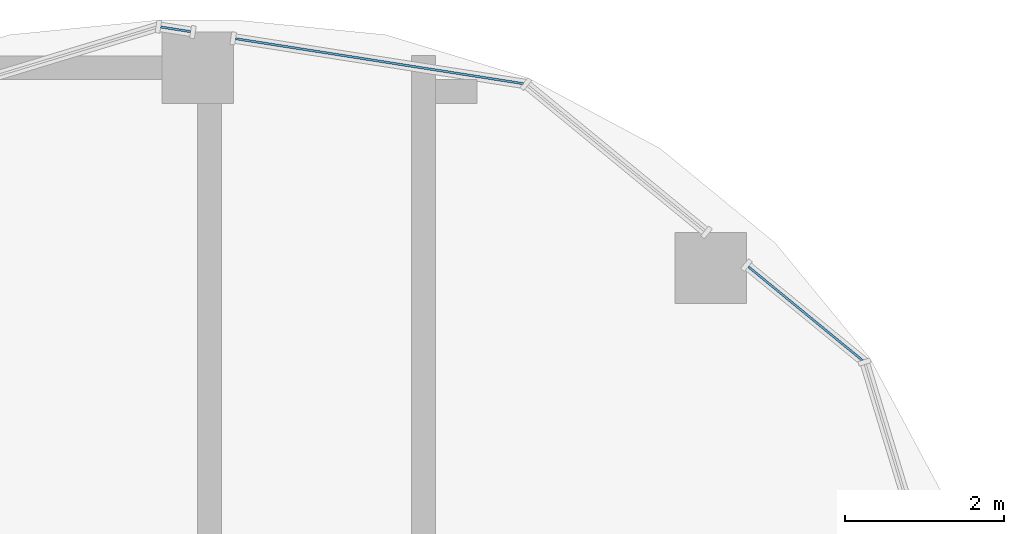
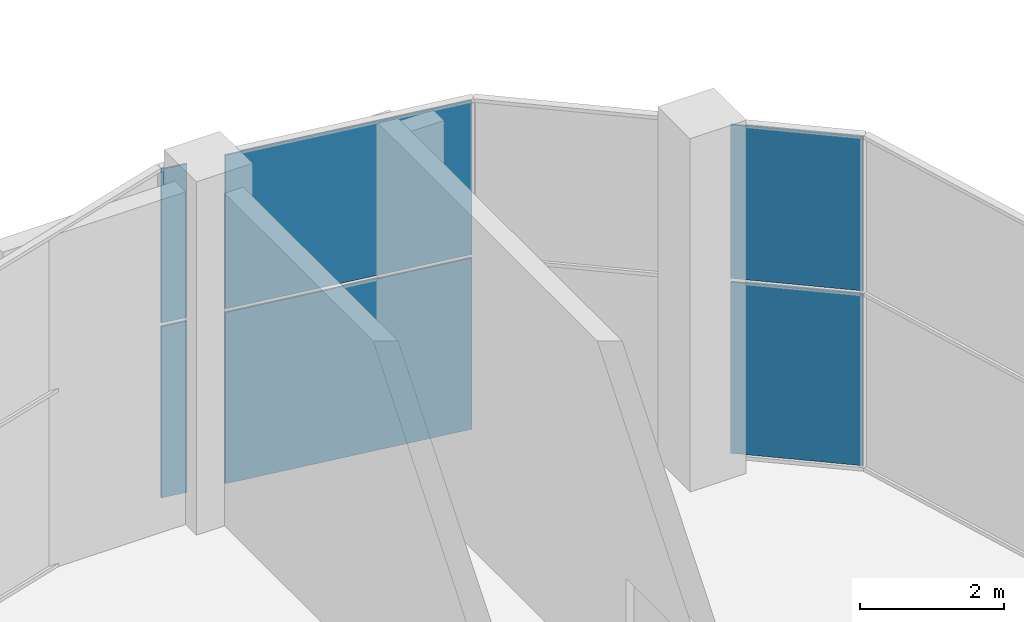
# One storey, part 15 of 21: 6 plates, 3 elements without a shape of their own.
"""IFC4 building model written with IfcOpenShell, lengths in metres."""

from ifc_helpers import new_model, si_unit, direction, frame, origin, origin_2d, place, context, subcontext, project, spatial, rectangle, extrude, material, layer, layer_set, type_object, element, aggregate, save


model = new_model("IFC4")

# Units and contexts
model_context = context("Model", 3, precision=1e-05, world=origin(), true_north=direction((0.0, 1.0)))
body_context = subcontext(model_context, "Body", "Model", "MODEL_VIEW")
ifc_project = project(units=[si_unit("LENGTHUNIT", "METRE"), si_unit("AREAUNIT", "SQUARE_METRE"), si_unit("VOLUMEUNIT", "CUBIC_METRE"), si_unit("PLANEANGLEUNIT", "RADIAN"), si_unit("MASSUNIT", "GRAM", prefix="KILO")], contexts=[model_context])

# Site, building, storey
site_placement = place(None, origin())
site = spatial("IfcSite", under=ifc_project, at=site_placement, CompositionType="ELEMENT")
building_placement = place(site_placement, origin())
building = spatial("IfcBuilding", under=site, at=building_placement, Name="Ogive Portal Towers", CompositionType="ELEMENT")
storey_placement = place(building_placement, frame((0.0, 0.0, 266.89990234375)))
storey = spatial("IfcBuildingStorey", under=building, at=storey_placement, Name="L65", CompositionType="ELEMENT", Elevation=266.89990234375)

# Curtain wall, plates
ifc_material = material(Name="Glass, clear low-iron insulated glazing", Category="glass")
curtain_wall_type = type_object("IfcCurtainWallType", Name="CW OBSERVATION WALL", PredefinedType="NOTDEFINED", material=ifc_material)
curtain_wall_1_placement = place(storey_placement, origin())
curtain_wall_1 = element("IfcCurtainWall", 1, at=curtain_wall_1_placement, inside=storey, type_object=curtain_wall_type, Name="A:L65:f17:cwa~0", PredefinedType="NOTDEFINED")
ifc_layer = layer(ifc_material, 0.028076171875)
ifc_layer_set = layer_set([ifc_layer], Name="CW PANEL IGU 28")
plate_type = type_object("IfcPlateType", Name="CW PANEL IGU 28", PredefinedType="CURTAIN_PANEL", material=ifc_layer_set)
plate_1_placement = place(storey_placement, frame((48.167724609375, 54.398193359375, 0.06005859375), z_axis=(0.0, 0.0, 1.0), x_axis=(-0.773010453363, 0.634393284164, 0.0)))
plate_1 = element("IfcPlate", 2, at=plate_1_placement, type_object=plate_type, Name="panel", PredefinedType="CURTAIN_PANEL", context=body_context, shape_type="SweptSolid", body=[
    extrude(rectangle(XDim=1.866943359375, YDim=0.028076171875, at=origin_2d()), origin(), (0.0, 0.0, 1.0), 2.909912109375),
])
plate_2_placement = place(storey_placement, frame((48.167724609375, 54.398193359375, 3.0302734375), z_axis=(0.0, 0.0, 1.0), x_axis=(-0.773010453363, 0.634393284164, 0.0)))
plate_2 = element("IfcPlate", 3, at=plate_2_placement, type_object=plate_type, Name="panel", PredefinedType="CURTAIN_PANEL", context=body_context, shape_type="SweptSolid", body=[
    extrude(rectangle(XDim=1.866943359375, YDim=0.028076171875, at=origin_2d()), origin(), (0.0, 0.0, 1.0), 2.610107421875),
])
aggregate(curtain_wall_1, [plate_1, plate_2])

curtain_wall_2_placement = place(storey_placement, origin())
curtain_wall_2 = element("IfcCurtainWall", 4, at=curtain_wall_2_placement, inside=storey, type_object=curtain_wall_type, Name="A:L65:f17:cwa~1", PredefinedType="NOTDEFINED")
plate_3_placement = place(storey_placement, frame((42.794921875, 57.58203125, 0.06005859375), z_axis=(0.0, 0.0, 1.0), x_axis=(-0.987996509006, 0.154476205908, 0.0)))
plate_3 = element("IfcPlate", 5, at=plate_3_placement, type_object=plate_type, Name="panel", PredefinedType="CURTAIN_PANEL", context=body_context, shape_type="SweptSolid", body=[
    extrude(rectangle(XDim=3.6748046875, YDim=0.028076171875, at=origin_2d()), origin(), (0.0, 0.0, 1.0), 2.909912109375),
])
plate_4_placement = place(storey_placement, frame((42.794921875, 57.58203125, 3.0302734375), z_axis=(0.0, 0.0, 1.0), x_axis=(-0.987996509006, 0.154476205908, 0.0)))
plate_4 = element("IfcPlate", 6, at=plate_4_placement, type_object=plate_type, Name="panel", PredefinedType="CURTAIN_PANEL", context=body_context, shape_type="SweptSolid", body=[
    extrude(rectangle(XDim=3.6748046875, YDim=0.028076171875, at=origin_2d()), origin(), (0.0, 0.0, 1.0), 2.610107421875),
])
aggregate(curtain_wall_2, [plate_3, plate_4])

curtain_wall_3_placement = place(storey_placement, origin())
curtain_wall_3 = element("IfcCurtainWall", 7, at=curtain_wall_3_placement, inside=storey, type_object=curtain_wall_type, Name="A:L65:f17:cwa~2", PredefinedType="NOTDEFINED")
plate_5_placement = place(storey_placement, frame((40.2236328125, 57.984130859375, 0.06005859375), z_axis=(0.0, 0.0, 1.0), x_axis=(-0.987996509006, 0.154476205908, 0.0)))
plate_5 = element("IfcPlate", 8, at=plate_5_placement, type_object=plate_type, Name="panel", PredefinedType="CURTAIN_PANEL", context=body_context, shape_type="SweptSolid", body=[
    extrude(rectangle(XDim=0.381103515625, YDim=0.028076171875, at=origin_2d()), origin(), (0.0, 0.0, 1.0), 2.909912109375),
])
plate_6_placement = place(storey_placement, frame((40.2236328125, 57.984130859375, 3.0302734375), z_axis=(0.0, 0.0, 1.0), x_axis=(-0.987996509006, 0.154476205908, 0.0)))
plate_6 = element("IfcPlate", 9, at=plate_6_placement, type_object=plate_type, Name="panel", PredefinedType="CURTAIN_PANEL", context=body_context, shape_type="SweptSolid", body=[
    extrude(rectangle(XDim=0.381103515625, YDim=0.028076171875, at=origin_2d()), origin(), (0.0, 0.0, 1.0), 2.610107421875),
])
aggregate(curtain_wall_3, [plate_5, plate_6])

save(model, "model.ifc")
